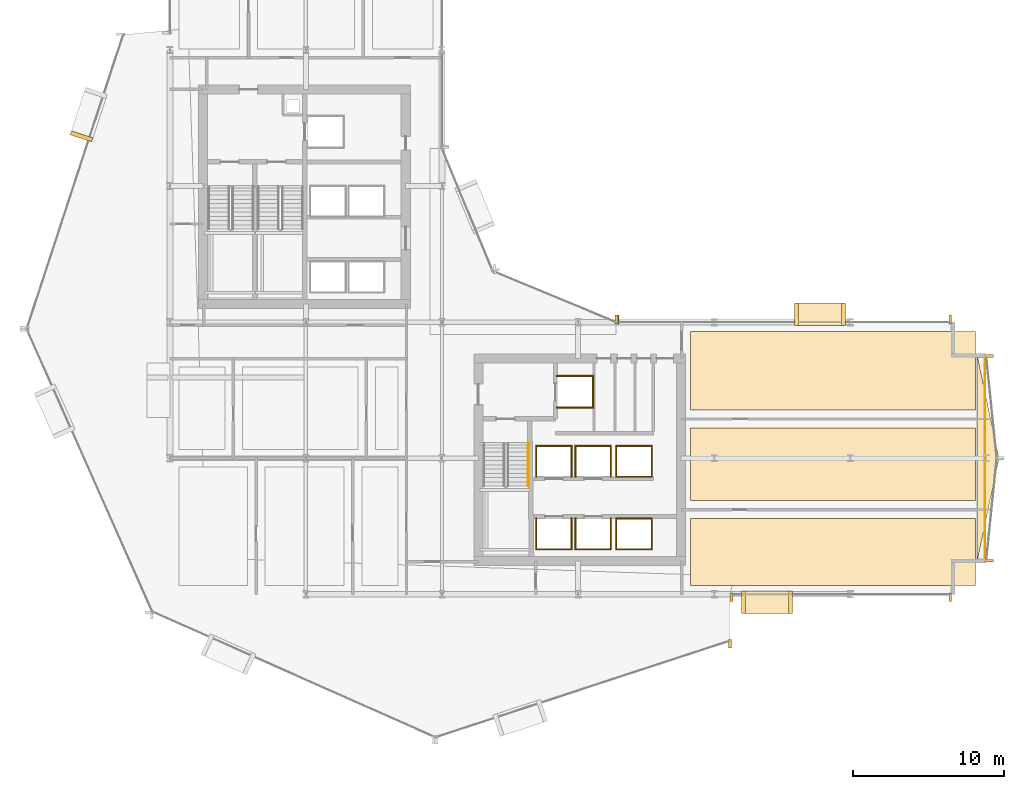
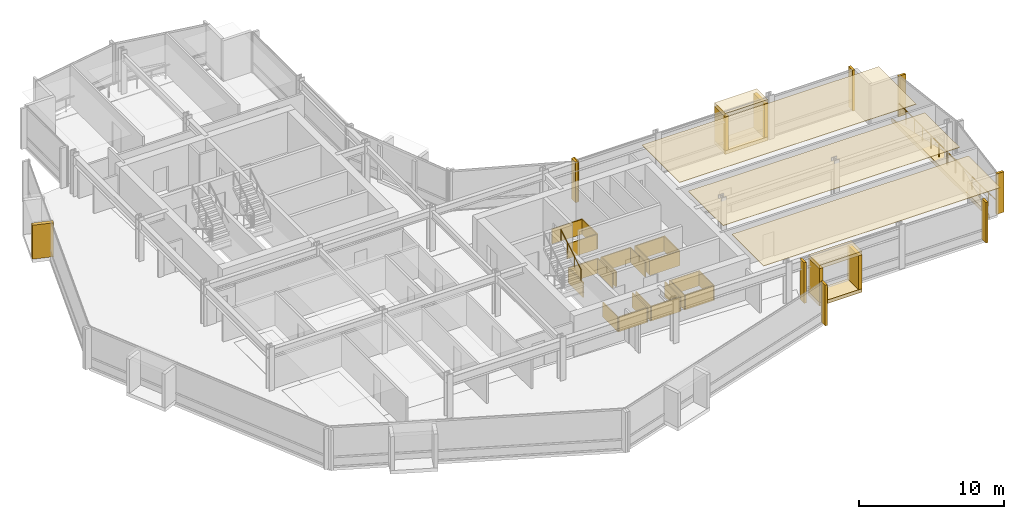
# One storey, part 32 of 34: 44 coverings, 2 railings.
"""IFC4 building model written with IfcOpenShell, lengths in metres."""

from ifc_helpers import new_model, si_unit, direction, frame, origin, origin_2d, place, context, subcontext, project, spatial, polyline, rectangle, circle, outline, extrude, material, layer, layer_set, type_object, element, save


model = new_model("IFC4")

# Units and contexts
model_context = context("Model", 3, precision=1e-05, world=origin(), true_north=direction((0.0, 1.0)))
body_context = subcontext(model_context, "Body", "Model", "MODEL_VIEW")
ifc_project = project(units=[si_unit("LENGTHUNIT", "METRE"), si_unit("AREAUNIT", "SQUARE_METRE"), si_unit("VOLUMEUNIT", "CUBIC_METRE"), si_unit("PLANEANGLEUNIT", "RADIAN"), si_unit("MASSUNIT", "GRAM", prefix="KILO")], contexts=[model_context])

# Site, building, storey
site_placement = place(None, origin())
site = spatial("IfcSite", under=ifc_project, at=site_placement, CompositionType="ELEMENT")
building_placement = place(site_placement, origin())
building = spatial("IfcBuilding", under=site, at=building_placement, Name="Solvaryn Broadcast Tower", CompositionType="ELEMENT")
storey_placement = place(building_placement, frame((0.0, 0.0, 73.0)))
storey = spatial("IfcBuildingStorey", under=building, at=storey_placement, Name="L17", CompositionType="ELEMENT", Elevation=73.0)

# Coverings
ifc_material_1 = material(Name="Micro-Perforated Acoustic Gypsum Ceiling", Category="concrete")
ifc_layer_1 = layer(ifc_material_1, 0.0400390625)
ifc_layer_set_1 = layer_set([ifc_layer_1], Name="CV-CEIL-ACOUSTIC")
covering_type_1 = type_object("IfcCoveringType", Name="CV-CEIL-ACOUSTIC", PredefinedType="CEILING", material=ifc_layer_set_1)
covering_1_placement = place(storey_placement, frame((0.0, 0.0, 3.3798828125)))
element("IfcCovering", 1, at=covering_1_placement, inside=storey, type_object=covering_type_1, Name="L17 Room Acoustic Ceiling 10", PredefinedType="CEILING", context=body_context, shape_type="SweptSolid", body=[
    extrude(outline(polyline([(43.449951171875, 9.60009765625), (62.300048828125, 9.60009765625), (62.300048828125, 14.0), (43.449951171875, 14.0), (43.449951171875, 9.60009765625)])), origin(), (0.0, 0.0, 1.0), 0.0400390625),
])
covering_2_placement = place(storey_placement, frame((0.0, 0.0, 3.3798828125)))
element("IfcCovering", 2, at=covering_2_placement, inside=storey, type_object=covering_type_1, Name="L17 Room Acoustic Ceiling 11", PredefinedType="CEILING", context=body_context, shape_type="SweptSolid", body=[
    extrude(outline(polyline([(43.449951171875, 15.199951171875), (62.300048828125, 15.199951171875), (62.300048828125, 20.0), (43.449951171875, 20.0), (43.449951171875, 15.199951171875)])), origin(), (0.0, 0.0, 1.0), 0.0400390625),
])
covering_3_placement = place(storey_placement, frame((0.0, 0.0, 3.3798828125)))
element("IfcCovering", 3, at=covering_3_placement, inside=storey, type_object=covering_type_1, Name="L17 Room Acoustic Ceiling 12", PredefinedType="CEILING", context=body_context, shape_type="SweptSolid", body=[
    extrude(outline(polyline([(43.449951171875, 21.199951171875), (62.300048828125, 21.199951171875), (62.300048828125, 26.39990234375), (43.449951171875, 26.39990234375), (43.449951171875, 21.199951171875)])), origin(), (0.0, 0.0, 1.0), 0.0400390625),
])
ifc_material_2 = material(Name="Fire-Rated Gypsum Shaftwall Liner", Category="concrete")
ifc_layer_2 = layer(ifc_material_2, 0.080078125)
ifc_layer_set_2 = layer_set([ifc_layer_2], Name="CV-SHAFT-LINER")
covering_type_2 = type_object("IfcCoveringType", Name="CV-SHAFT-LINER", PredefinedType="CLADDING", material=ifc_layer_set_2)
for number, where, z_axis, x_axis, name in (
    (4, (35.800048828125, 23.43994140625, 0.0), (0.0, 0.0, 1.0), (1.0, 0.0, 0.0), "L17 FL2 Hoistway Shaft Liner North"),
    (5, (35.800048828125, 21.360107421875, 0.0), (0.0, 0.0, 1.0), (1.0, 0.0, 0.0), "L17 FL2 Hoistway Shaft Liner South"),
):
    element("IfcCovering", number, at=place(storey_placement, frame(where, z_axis=z_axis, x_axis=x_axis)), inside=storey, type_object=covering_type_2, Name=name, PredefinedType="CLADDING", context=body_context, shape_type="SweptSolid", body=[
        extrude(rectangle(XDim=2.4599609375, YDim=0.080078125, at=origin_2d()), origin(), (0.0, 0.0, 1.0), 1.25),
    ])
covering_4_placement = place(storey_placement, frame((36.989990234375, 22.39990234375, 0.0), z_axis=(0.0, 0.0, 1.0), x_axis=(1.0, 0.0, 0.0)))
element("IfcCovering", 6, at=covering_4_placement, inside=storey, type_object=covering_type_2, Name="L17 FL2 Hoistway Shaft Liner East", PredefinedType="CLADDING", context=body_context, shape_type="SweptSolid", body=[
    extrude(rectangle(XDim=0.080078125, YDim=2.159912109375, at=origin_2d()), origin(), (0.0, 0.0, 1.0), 1.25),
])
covering_5_placement = place(storey_placement, frame((34.39990234375, 11.985107421875, 0.0), z_axis=(0.0, 0.0, 1.0), x_axis=(1.0, 0.0, 0.0)))
element("IfcCovering", 7, at=covering_5_placement, inside=storey, type_object=covering_type_2, Name="L17 PL1 Hoistway Shaft Liner South", PredefinedType="CLADDING", context=body_context, shape_type="SweptSolid", body=[
    extrude(rectangle(XDim=2.409912109375, YDim=0.080078125, at=origin_2d()), origin(), (0.0, 0.0, 1.0), 1.25),
])
for number, where, z_axis, x_axis, name in (
    (8, (35.56494140625, 13.0, 0.0), (0.0, 0.0, 1.0), (1.0, 0.0, 0.0), "L17 PL1 Hoistway Shaft Liner East"),
    (9, (33.235107421875, 13.0, 0.0), (0.0, 0.0, 1.0), (1.0, 0.0, 0.0), "L17 PL1 Hoistway Shaft Liner West"),
):
    element("IfcCovering", number, at=place(storey_placement, frame(where, z_axis=z_axis, x_axis=x_axis)), inside=storey, type_object=covering_type_2, Name=name, PredefinedType="CLADDING", context=body_context, shape_type="SweptSolid", body=[
        extrude(rectangle(XDim=0.080078125, YDim=2.110107421875, at=origin_2d()), origin(), (0.0, 0.0, 1.0), 1.25),
    ])
covering_6_placement = place(storey_placement, frame((37.0, 11.985107421875, 0.0), z_axis=(0.0, 0.0, 1.0), x_axis=(1.0, 0.0, 0.0)))
element("IfcCovering", 10, at=covering_6_placement, inside=storey, type_object=covering_type_2, Name="L17 PL2 Hoistway Shaft Liner South", PredefinedType="CLADDING", context=body_context, shape_type="SweptSolid", body=[
    extrude(rectangle(XDim=2.409912109375, YDim=0.080078125, at=origin_2d()), origin(), (0.0, 0.0, 1.0), 1.25),
])
for number, where, z_axis, x_axis, name in (
    (11, (38.1650390625, 13.0, 0.0), (0.0, 0.0, 1.0), (1.0, 0.0, 0.0), "L17 PL2 Hoistway Shaft Liner East"),
    (12, (35.8349609375, 13.0, 0.0), (0.0, 0.0, 1.0), (1.0, 0.0, 0.0), "L17 PL2 Hoistway Shaft Liner West"),
):
    element("IfcCovering", number, at=place(storey_placement, frame(where, z_axis=z_axis, x_axis=x_axis)), inside=storey, type_object=covering_type_2, Name=name, PredefinedType="CLADDING", context=body_context, shape_type="SweptSolid", body=[
        extrude(rectangle(XDim=0.080078125, YDim=2.110107421875, at=origin_2d()), origin(), (0.0, 0.0, 1.0), 1.25),
    ])
covering_7_placement = place(storey_placement, frame((34.39990234375, 18.81494140625, 0.0), z_axis=(0.0, 0.0, 1.0), x_axis=(1.0, 0.0, 0.0)))
element("IfcCovering", 13, at=covering_7_placement, inside=storey, type_object=covering_type_2, Name="L17 PL3 Hoistway Shaft Liner North", PredefinedType="CLADDING", context=body_context, shape_type="SweptSolid", body=[
    extrude(rectangle(XDim=2.409912109375, YDim=0.080078125, at=origin_2d()), origin(), (0.0, 0.0, 1.0), 1.25),
])
for number, where, z_axis, x_axis, name in (
    (14, (35.56494140625, 17.800048828125, 0.0), (0.0, 0.0, 1.0), (1.0, 0.0, 0.0), "L17 PL3 Hoistway Shaft Liner East"),
    (15, (33.235107421875, 17.800048828125, 0.0), (0.0, 0.0, 1.0), (1.0, 0.0, 0.0), "L17 PL3 Hoistway Shaft Liner West"),
):
    element("IfcCovering", number, at=place(storey_placement, frame(where, z_axis=z_axis, x_axis=x_axis)), inside=storey, type_object=covering_type_2, Name=name, PredefinedType="CLADDING", context=body_context, shape_type="SweptSolid", body=[
        extrude(rectangle(XDim=0.080078125, YDim=2.110107421875, at=origin_2d()), origin(), (0.0, 0.0, 1.0), 1.25),
    ])
covering_8_placement = place(storey_placement, frame((37.0, 18.81494140625, 0.0), z_axis=(0.0, 0.0, 1.0), x_axis=(1.0, 0.0, 0.0)))
element("IfcCovering", 16, at=covering_8_placement, inside=storey, type_object=covering_type_2, Name="L17 PL4 Hoistway Shaft Liner North", PredefinedType="CLADDING", context=body_context, shape_type="SweptSolid", body=[
    extrude(rectangle(XDim=2.409912109375, YDim=0.080078125, at=origin_2d()), origin(), (0.0, 0.0, 1.0), 1.25),
])
for number, where, z_axis, x_axis, name in (
    (17, (38.1650390625, 17.800048828125, 0.0), (0.0, 0.0, 1.0), (1.0, 0.0, 0.0), "L17 PL4 Hoistway Shaft Liner East"),
    (18, (35.8349609375, 17.800048828125, 0.0), (0.0, 0.0, 1.0), (1.0, 0.0, 0.0), "L17 PL4 Hoistway Shaft Liner West"),
):
    element("IfcCovering", number, at=place(storey_placement, frame(where, z_axis=z_axis, x_axis=x_axis)), inside=storey, type_object=covering_type_2, Name=name, PredefinedType="CLADDING", context=body_context, shape_type="SweptSolid", body=[
        extrude(rectangle(XDim=0.080078125, YDim=2.110107421875, at=origin_2d()), origin(), (0.0, 0.0, 1.0), 1.25),
    ])
for number, where, z_axis, x_axis, name in (
    (19, (39.699951171875, 14.014892578125, 0.0), (0.0, 0.0, 1.0), (1.0, 0.0, 0.0), "L17 PM1 Hoistway Shaft Liner North"),
    (20, (39.699951171875, 11.985107421875, 0.0), (0.0, 0.0, 1.0), (1.0, 0.0, 0.0), "L17 PM1 Hoistway Shaft Liner South"),
):
    element("IfcCovering", number, at=place(storey_placement, frame(where, z_axis=z_axis, x_axis=x_axis)), inside=storey, type_object=covering_type_2, Name=name, PredefinedType="CLADDING", context=body_context, shape_type="SweptSolid", body=[
        extrude(rectangle(XDim=2.409912109375, YDim=0.080078125, at=origin_2d()), origin(), (0.0, 0.0, 1.0), 1.25),
    ])
for number, where, z_axis, x_axis, name in (
    (21, (40.864990234375, 13.0, 0.0), (0.0, 0.0, 1.0), (1.0, 0.0, 0.0), "L17 PM1 Hoistway Shaft Liner East"),
    (22, (38.534912109375, 13.0, 0.0), (0.0, 0.0, 1.0), (1.0, 0.0, 0.0), "L17 PM1 Hoistway Shaft Liner West"),
):
    element("IfcCovering", number, at=place(storey_placement, frame(where, z_axis=z_axis, x_axis=x_axis)), inside=storey, type_object=covering_type_2, Name=name, PredefinedType="CLADDING", context=body_context, shape_type="SweptSolid", body=[
        extrude(rectangle(XDim=0.080078125, YDim=2.110107421875, at=origin_2d()), origin(), (0.0, 0.0, 1.0), 1.25),
    ])
for number, where, z_axis, x_axis, name in (
    (23, (39.699951171875, 18.81494140625, 0.0), (0.0, 0.0, 1.0), (1.0, 0.0, 0.0), "L17 PM2 Hoistway Shaft Liner North"),
    (24, (39.699951171875, 16.784912109375, 0.0), (0.0, 0.0, 1.0), (1.0, 0.0, 0.0), "L17 PM2 Hoistway Shaft Liner South"),
):
    element("IfcCovering", number, at=place(storey_placement, frame(where, z_axis=z_axis, x_axis=x_axis)), inside=storey, type_object=covering_type_2, Name=name, PredefinedType="CLADDING", context=body_context, shape_type="SweptSolid", body=[
        extrude(rectangle(XDim=2.409912109375, YDim=0.080078125, at=origin_2d()), origin(), (0.0, 0.0, 1.0), 1.25),
    ])
for number, where, z_axis, x_axis, name in (
    (25, (40.864990234375, 17.800048828125, 0.0), (0.0, 0.0, 1.0), (1.0, 0.0, 0.0), "L17 PM2 Hoistway Shaft Liner East"),
    (26, (38.534912109375, 17.800048828125, 0.0), (0.0, 0.0, 1.0), (1.0, 0.0, 0.0), "L17 PM2 Hoistway Shaft Liner West"),
):
    element("IfcCovering", number, at=place(storey_placement, frame(where, z_axis=z_axis, x_axis=x_axis)), inside=storey, type_object=covering_type_2, Name=name, PredefinedType="CLADDING", context=body_context, shape_type="SweptSolid", body=[
        extrude(rectangle(XDim=0.080078125, YDim=2.110107421875, at=origin_2d()), origin(), (0.0, 0.0, 1.0), 1.25),
    ])
ifc_material_3 = material(Name="Glazed Architectural Terracotta Rainscreen Cladding", Category="masonry")
ifc_layer_3 = layer(ifc_material_3, 0.280029296875)
ifc_layer_set_3 = layer_set([ifc_layer_3], Name="CV-TC-CLAD")
covering_type_3 = type_object("IfcCoveringType", Name="CV-TC-CLAD", PredefinedType="CLADDING", material=ifc_layer_set_3)
covering_9_placement = place(storey_placement, frame((3.155517578125, 39.298095703125, 0.27978515625), z_axis=(0.0, 0.0, 1.0), x_axis=(-0.311671636848, -0.950189870912, 0.0)))
element("IfcCovering", 27, at=covering_9_placement, inside=storey, type_object=covering_type_3, Name="L17 Projecting Stone Window Box Cheek 1-2", PredefinedType="CLADDING", context=body_context, shape_type="SweptSolid", body=[
    extrude(rectangle(XDim=0.280029296875, YDim=1.5, at=origin_2d()), origin(), (0.0, 0.0, 1.0), 2.860107421875),
])
for number, where, z_axis, x_axis, name in (
    (28, (48.5, 8.469970703125, 3.1298828125), (0.0, 0.0, 1.0), (1.0, 0.0, 0.0), "L17 Projecting Stone Window Box Hood 6"),
    (29, (48.5, 8.469970703125, -0.01025390625), (0.0, 0.0, 1.0), (1.0, 0.0, 0.0), "L17 Projecting Stone Window Box Sill 6"),
):
    element("IfcCovering", number, at=place(storey_placement, frame(where, z_axis=z_axis, x_axis=x_axis)), inside=storey, type_object=covering_type_3, Name=name, PredefinedType="CLADDING", context=body_context, shape_type="SweptSolid", body=[
        extrude(rectangle(XDim=3.39990234375, YDim=1.5, at=origin_2d()), origin(), (0.0, 0.0, 1.0), 0.300048828125),
    ])
for number, where, z_axis, x_axis, name in (
    (30, (46.93994140625, 8.469970703125, 0.27978515625), (0.0, 0.0, 1.0), (1.0, 0.0, 0.0), "L17 Projecting Stone Window Box Cheek 6-1"),
    (31, (50.06005859375, 8.469970703125, 0.27978515625), (0.0, 0.0, 1.0), (1.0, 0.0, 0.0), "L17 Projecting Stone Window Box Cheek 6-2"),
):
    element("IfcCovering", number, at=place(storey_placement, frame(where, z_axis=z_axis, x_axis=x_axis)), inside=storey, type_object=covering_type_3, Name=name, PredefinedType="CLADDING", context=body_context, shape_type="SweptSolid", body=[
        extrude(rectangle(XDim=0.280029296875, YDim=1.5, at=origin_2d()), origin(), (0.0, 0.0, 1.0), 2.860107421875),
    ])
for number, where, z_axis, x_axis, name in (
    (32, (52.0, 27.530029296875, 3.1298828125), (0.0, 0.0, 1.0), (1.0, 0.0, 0.0), "L17 Projecting Stone Window Box Hood 7"),
    (33, (52.0, 27.530029296875, -0.01025390625), (0.0, 0.0, 1.0), (1.0, 0.0, 0.0), "L17 Projecting Stone Window Box Sill 7"),
):
    element("IfcCovering", number, at=place(storey_placement, frame(where, z_axis=z_axis, x_axis=x_axis)), inside=storey, type_object=covering_type_3, Name=name, PredefinedType="CLADDING", context=body_context, shape_type="SweptSolid", body=[
        extrude(rectangle(XDim=3.39990234375, YDim=1.5, at=origin_2d()), origin(), (0.0, 0.0, 1.0), 0.300048828125),
    ])
for number, where, z_axis, x_axis, name in (
    (34, (50.43994140625, 27.530029296875, 0.27978515625), (0.0, 0.0, 1.0), (1.0, 0.0, 0.0), "L17 Projecting Stone Window Box Cheek 7-1"),
    (35, (53.56005859375, 27.530029296875, 0.27978515625), (0.0, 0.0, 1.0), (1.0, 0.0, 0.0), "L17 Projecting Stone Window Box Cheek 7-2"),
):
    element("IfcCovering", number, at=place(storey_placement, frame(where, z_axis=z_axis, x_axis=x_axis)), inside=storey, type_object=covering_type_3, Name=name, PredefinedType="CLADDING", context=body_context, shape_type="SweptSolid", body=[
        extrude(rectangle(XDim=0.280029296875, YDim=1.5, at=origin_2d()), origin(), (0.0, 0.0, 1.0), 2.860107421875),
    ])
ifc_material_4 = material(Name="Extruded Architectural Terracotta Fin", Category="masonry")
ifc_layer_4 = layer(ifc_material_4, 0.179931640625)
ifc_layer_set_4 = layer_set([ifc_layer_4], Name="CV-TC-FIN")
covering_type_4 = type_object("IfcCoveringType", Name="CV-TC-FIN", PredefinedType="USERDEFINED", material=ifc_layer_set_4)
for number, where, z_axis, x_axis, name in (
    (36, (46.043701171875, 5.735595703125, 0.0), (0.0, 0.0, 1.0), (1.0, 0.0, 0.0), "L17 Terracotta Vertical Fin FIN-L17-DR4-M01"),
    (37, (38.541259765625, 27.177978515625, 0.0), (0.0, 0.0, 1.0), (1.0, 0.0, 0.0), "L17 Terracotta Vertical Fin FIN-L17-CN1-M00"),
    (38, (46.14599609375, 8.8125, 0.0), (0.0, 0.0, 1.0), (1.0, 0.0, 0.0), "L17 Terracotta Vertical Fin FIN-L17-S2-M00"),
    (39, (60.6201171875, 8.8125, 0.0), (0.0, 0.0, 1.0), (1.0, 0.0, 0.0), "L17 Terracotta Vertical Fin FIN-L17-S2-M01"),
):
    element("IfcCovering", number, at=place(storey_placement, frame(where, z_axis=z_axis, x_axis=x_axis)), inside=storey, type_object=covering_type_4, Name=name, ObjectType="FIN", PredefinedType="USERDEFINED", context=body_context, shape_type="SweptSolid", body=[
        extrude(rectangle(XDim=0.179931640625, YDim=0.580078125, at=origin_2d()), origin(), (0.0, 0.0, 1.0), 3.419921875),
    ])
for number, where, z_axis, x_axis, name in (
    (40, (63.190673828125, 24.770263671875, 0.0), (0.0, 0.0, 1.0), (1.0, 0.0, 0.0), "L17 Terracotta Vertical Fin FIN-L17-ET1-M00"),
    (41, (63.190673828125, 11.229736328125, 0.0), (0.0, 0.0, 1.0), (1.0, 0.0, 0.0), "L17 Terracotta Vertical Fin FIN-L17-ET2-M01"),
):
    element("IfcCovering", number, at=place(storey_placement, frame(where, z_axis=z_axis, x_axis=x_axis)), inside=storey, type_object=covering_type_4, Name=name, ObjectType="FIN", PredefinedType="USERDEFINED", context=body_context, shape_type="SweptSolid", body=[
        extrude(rectangle(XDim=0.580078125, YDim=0.179931640625, at=origin_2d()), origin(), (0.0, 0.0, 1.0), 3.419921875),
    ])
for number, where, z_axis, x_axis, name in (
    (42, (38.6298828125, 27.1875, 0.0), (0.0, 0.0, 1.0), (1.0, 0.0, 0.0), "L17 Terracotta Vertical Fin FIN-L17-IH-M00"),
    (43, (60.6201171875, 27.1875, 0.0), (0.0, 0.0, 1.0), (1.0, 0.0, 0.0), "L17 Terracotta Vertical Fin FIN-L17-IH-M01"),
):
    element("IfcCovering", number, at=place(storey_placement, frame(where, z_axis=z_axis, x_axis=x_axis)), inside=storey, type_object=covering_type_4, Name=name, ObjectType="FIN", PredefinedType="USERDEFINED", context=body_context, shape_type="SweptSolid", body=[
        extrude(rectangle(XDim=0.179931640625, YDim=0.580078125, at=origin_2d()), origin(), (0.0, 0.0, 1.0), 3.419921875),
    ])
ifc_material_5 = material(Name="Sculpted Architectural Terracotta Wave Fascia", Category="masonry")
ifc_layer_5 = layer(ifc_material_5, 0.340087890625)
ifc_layer_set_5 = layer_set([ifc_layer_5], Name="CV-WAVE-TRAY")
covering_type_5 = type_object("IfcCoveringType", Name="CV-WAVE-TRAY", PredefinedType="CLADDING", material=ifc_layer_set_5)
covering_10_placement = place(storey_placement, frame((0.0, 0.0, -0.300048828125)))
element("IfcCovering", 44, at=covering_10_placement, inside=storey, type_object=covering_type_5, Name="L17 East Curved Wing Deck", PredefinedType="CLADDING", context=body_context, shape_type="SweptSolid", body=[
    extrude(outline(polyline([(62.39990234375, 11.199951171875), (63.85009765625, 18.0), (62.39990234375, 24.800048828125), (62.39990234375, 11.199951171875)])), origin(), (0.0, 0.0, 1.0), 0.330078125),
])

# Railings
ifc_material_6 = material(Name="Brushed Stainless Steel Tubular Handrail", Category="steel")
railing_type_1 = type_object("IfcRailingType", Name="RL-STAIR-HANDRAIL", PredefinedType="HANDRAIL", material=ifc_material_6)
railing_1_placement = place(storey_placement, frame((32.699951171875, 16.159912109375, 2.01806640625)))
element("IfcRailing", 45, at=railing_1_placement, inside=storey, type_object=railing_type_1, Name="L17 ST3 stair handrail 2", PredefinedType="HANDRAIL", context=body_context, shape_type="SweptSolid", body=[
    extrude(circle(Radius=0.02392578125, at=origin_2d()), frame((0.0, 0.0, 0.8759765625), z_axis=(0.0, 0.857242210791, 0.514913383045), x_axis=(-1.0, 0.0, 0.0)), (0.0, 0.0, 1.0), 3.266357421875),
    extrude(circle(Radius=0.02099609375, at=origin_2d()), origin(), (0.0, 0.0, 1.0), 0.851806640625),
    extrude(circle(Radius=0.02099609375, at=origin_2d()), frame((0.0, 0.933349609375, 0.560546875)), (0.0, 0.0, 1.0), 0.851806640625),
    extrude(circle(Radius=0.02099609375, at=origin_2d()), frame((0.0, 1.86669921875, 1.121337890625)), (0.0, 0.0, 1.0), 0.851806640625),
    extrude(circle(Radius=0.02099609375, at=origin_2d()), frame((0.0, 2.800048828125, 1.681884765625)), (0.0, 0.0, 1.0), 0.851806640625),
])
ifc_material_7 = material(Name="Stainless Steel and Laminated Glass Guard", Category="steel")
railing_type_2 = type_object("IfcRailingType", Name="RL-TER-1150", PredefinedType="BALUSTRADE", material=ifc_material_7)
railing_2_placement = place(storey_placement, frame((62.919921875, 11.199951171875, 0.0)))
element("IfcRailing", 46, at=railing_2_placement, inside=storey, type_object=railing_type_2, Name="L17 East Wing Spandrel Edge Guard", PredefinedType="BALUSTRADE", context=body_context, shape_type="SweptSolid", body=[
    extrude(circle(Radius=0.02392578125, at=origin_2d()), frame((0.0, 0.0, 1.1259765625), z_axis=(0.0, 1.0, 0.0), x_axis=(-1.0, 0.0, 0.0)), (0.0, 0.0, 1.0), 13.60009765625),
    extrude(circle(Radius=0.02099609375, at=origin_2d()), origin(), (0.0, 0.0, 1.0), 1.101806640625),
    extrude(circle(Radius=0.02099609375, at=origin_2d()), frame((0.0, 1.13330078125, 0.0)), (0.0, 0.0, 1.0), 1.101806640625),
    extrude(circle(Radius=0.02099609375, at=origin_2d()), frame((0.0, 2.2666015625, 0.0)), (0.0, 0.0, 1.0), 1.101806640625),
    extrude(circle(Radius=0.02099609375, at=origin_2d()), frame((0.0, 3.39990234375, 0.0)), (0.0, 0.0, 1.0), 1.101806640625),
    extrude(circle(Radius=0.02099609375, at=origin_2d()), frame((0.0, 4.533447265625, 0.0)), (0.0, 0.0, 1.0), 1.101806640625),
    extrude(circle(Radius=0.02099609375, at=origin_2d()), frame((0.0, 5.666748046875, 0.0)), (0.0, 0.0, 1.0), 1.101806640625),
    extrude(circle(Radius=0.02099609375, at=origin_2d()), frame((0.0, 6.800048828125, 0.0)), (0.0, 0.0, 1.0), 1.101806640625),
    extrude(circle(Radius=0.02099609375, at=origin_2d()), frame((0.0, 7.933349609375, 0.0)), (0.0, 0.0, 1.0), 1.101806640625),
    extrude(circle(Radius=0.02099609375, at=origin_2d()), frame((0.0, 9.066650390625, 0.0)), (0.0, 0.0, 1.0), 1.101806640625),
    extrude(circle(Radius=0.02099609375, at=origin_2d()), frame((0.0, 10.2001953125, 0.0)), (0.0, 0.0, 1.0), 1.101806640625),
    extrude(circle(Radius=0.02099609375, at=origin_2d()), frame((0.0, 11.33349609375, 0.0)), (0.0, 0.0, 1.0), 1.101806640625),
    extrude(circle(Radius=0.02099609375, at=origin_2d()), frame((0.0, 12.466796875, 0.0)), (0.0, 0.0, 1.0), 1.101806640625),
    extrude(circle(Radius=0.02099609375, at=origin_2d()), frame((0.0, 13.60009765625, 0.0)), (0.0, 0.0, 1.0), 1.101806640625),
])

save(model, "model.ifc")
